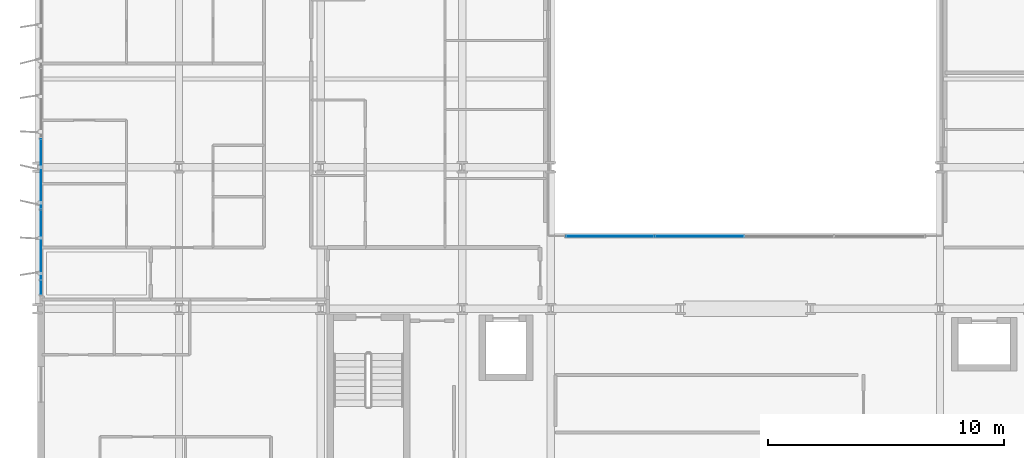
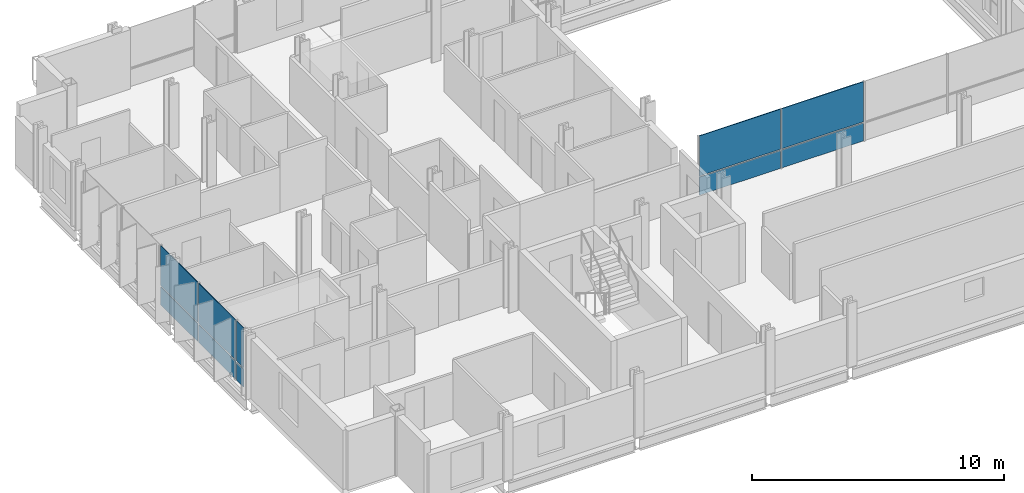
# One storey, part 22 of 38: 10 plates, 2 elements without a shape of their own.
"""IFC4 building model written with IfcOpenShell, lengths in metres."""

from ifc_helpers import new_model, si_unit, direction, frame, origin, origin_2d, place, context, subcontext, project, spatial, rectangle, extrude, material, layer, layer_set, type_object, element, aggregate, save


model = new_model("IFC4")

# Units and contexts
model_context = context("Model", 3, precision=1e-05, world=origin(), true_north=direction((0.0, 1.0)))
body_context = subcontext(model_context, "Body", "Model", "MODEL_VIEW")
ifc_project = project(units=[si_unit("LENGTHUNIT", "METRE"), si_unit("AREAUNIT", "SQUARE_METRE"), si_unit("VOLUMEUNIT", "CUBIC_METRE"), si_unit("PLANEANGLEUNIT", "RADIAN"), si_unit("MASSUNIT", "GRAM", prefix="KILO")], contexts=[model_context])

# Site, building, storey
site_placement = place(None, origin())
site = spatial("IfcSite", under=ifc_project, at=site_placement, CompositionType="ELEMENT")
building_placement = place(site_placement, origin())
building = spatial("IfcBuilding", under=site, at=building_placement, Name="Brevholm Reach", CompositionType="ELEMENT")
storey_placement = place(building_placement, frame((0.0, 0.0, 59.0)))
storey = spatial("IfcBuildingStorey", under=building, at=storey_placement, Name="L16", CompositionType="ELEMENT", Elevation=59.0)

# Curtain wall, plates
ifc_material_1 = material(Name="Dark Anodised Aluminium 6063-T6 and Solar-Control Glass", Category="aluminium")
ifc_layer_1 = layer(ifc_material_1, 0.14990234375)
ifc_layer_set_1 = layer_set([ifc_layer_1], Name="Dark Anodised Aluminium 6063-T6 and Solar-Control Glass")
curtain_wall_type_1 = type_object("IfcCurtainWallType", Name="CW-01", PredefinedType="NOTDEFINED", material=ifc_layer_set_1)
curtain_wall_1_placement = place(storey_placement, origin())
curtain_wall_1 = element("IfcCurtainWall", 1, at=curtain_wall_1_placement, inside=storey, type_object=curtain_wall_type_1, Name="L16 Curtain Wall CW-01", PredefinedType="NOTDEFINED")
ifc_material_2 = material(Name="Dark Solar-Control Double-Glazed IGU Glass", Category="glass")
ifc_layer_2 = layer(ifc_material_2, 0.028076171875)
ifc_layer_set_2 = layer_set([ifc_layer_2], Name="Dark Solar-Control Double-Glazed IGU Glass")
plate_type_1 = type_object("IfcPlateType", Name="CWP-GLZ-28", PredefinedType="CURTAIN_PANEL", material=ifc_layer_set_2)
plate_1_placement = place(storey_placement, frame((0.14990234375, 15.719970703125, 0.0), z_axis=(0.0, 0.0, 1.0), x_axis=(0.0, -1.0, 0.0)))
plate_1 = element("IfcPlate", 2, at=plate_1_placement, type_object=plate_type_1, Name="CP-01 Glazing Panel 3.1", PredefinedType="CURTAIN_PANEL", context=body_context, shape_type="SweptSolid", body=[
    extrude(rectangle(XDim=2.93505859375, YDim=0.028076171875, at=origin_2d()), origin(), (0.0, 0.0, 1.0), 0.867431640625),
])
plate_2_placement = place(storey_placement, frame((0.14990234375, 15.719970703125, 0.9326171875), z_axis=(0.0, 0.0, 1.0), x_axis=(0.0, -1.0, 0.0)))
plate_2 = element("IfcPlate", 3, at=plate_2_placement, type_object=plate_type_1, Name="CP-01 Glazing Panel 3.2", PredefinedType="CURTAIN_PANEL", context=body_context, shape_type="SweptSolid", body=[
    extrude(rectangle(XDim=2.93505859375, YDim=0.028076171875, at=origin_2d()), origin(), (0.0, 0.0, 1.0), 1.9375),
])
plate_3_placement = place(storey_placement, frame((0.14990234375, 12.719970703125, 0.0), z_axis=(0.0, 0.0, 1.0), x_axis=(0.0, -1.0, 0.0)))
plate_3 = element("IfcPlate", 4, at=plate_3_placement, type_object=plate_type_1, Name="CP-01 Glazing Panel 4.1", PredefinedType="CURTAIN_PANEL", context=body_context, shape_type="SweptSolid", body=[
    extrude(rectangle(XDim=2.93505859375, YDim=0.028076171875, at=origin_2d()), origin(), (0.0, 0.0, 1.0), 0.867431640625),
])
plate_4_placement = place(storey_placement, frame((0.14990234375, 12.719970703125, 0.9326171875), z_axis=(0.0, 0.0, 1.0), x_axis=(0.0, -1.0, 0.0)))
plate_4 = element("IfcPlate", 5, at=plate_4_placement, type_object=plate_type_1, Name="CP-01 Glazing Panel 4.2", PredefinedType="CURTAIN_PANEL", context=body_context, shape_type="SweptSolid", body=[
    extrude(rectangle(XDim=2.93505859375, YDim=0.028076171875, at=origin_2d()), origin(), (0.0, 0.0, 1.0), 1.9375),
])
plate_5_placement = place(storey_placement, frame((0.14990234375, 10.9013671875, 0.0), z_axis=(0.0, 0.0, 1.0), x_axis=(0.0, -1.0, 0.0)))
plate_5 = element("IfcPlate", 6, at=plate_5_placement, type_object=plate_type_1, Name="CP-01 Glazing Panel 5.1", PredefinedType="CURTAIN_PANEL", context=body_context, shape_type="SweptSolid", body=[
    extrude(rectangle(XDim=0.572509765625, YDim=0.028076171875, at=origin_2d()), origin(), (0.0, 0.0, 1.0), 0.867431640625),
])
plate_6_placement = place(storey_placement, frame((0.14990234375, 10.9013671875, 0.9326171875), z_axis=(0.0, 0.0, 1.0), x_axis=(0.0, -1.0, 0.0)))
plate_6 = element("IfcPlate", 7, at=plate_6_placement, type_object=plate_type_1, Name="CP-01 Glazing Panel 5.2", PredefinedType="CURTAIN_PANEL", context=body_context, shape_type="SweptSolid", body=[
    extrude(rectangle(XDim=0.572509765625, YDim=0.028076171875, at=origin_2d()), origin(), (0.0, 0.0, 1.0), 1.9375),
])
aggregate(curtain_wall_1, [plate_1, plate_2, plate_3, plate_4, plate_5, plate_6])

ifc_material_3 = material(Name="Dark Anodised Aluminium 6063-T6 and Solar-Control Glass", Category="aluminium")
ifc_layer_3 = layer(ifc_material_3, 0.139892578125)
ifc_layer_set_3 = layer_set([ifc_layer_3], Name="Dark Anodised Aluminium 6063-T6 and Solar-Control Glass")
curtain_wall_type_2 = type_object("IfcCurtainWallType", Name="CW-02", PredefinedType="NOTDEFINED", material=ifc_layer_set_3)
curtain_wall_2_placement = place(storey_placement, origin())
curtain_wall_2 = element("IfcCurtainWall", 8, at=curtain_wall_2_placement, inside=storey, type_object=curtain_wall_type_2, Name="L16 Curtain Wall CW-02", PredefinedType="NOTDEFINED")
ifc_material_4 = material(Name="Low-Iron Laminated Acoustic Glass", Category="glass")
ifc_layer_4 = layer(ifc_material_4, 0.035888671875)
ifc_layer_set_4 = layer_set([ifc_layer_4], Name="Low-Iron Laminated Acoustic Glass")
plate_type_2 = type_object("IfcPlateType", Name="CWP-GLZ-36", PredefinedType="CURTAIN_PANEL", material=ifc_layer_set_4)
plate_7_placement = place(storey_placement, frame((24.264892578125, 13.080078125, 0.0), z_axis=(0.0, 0.0, 1.0), x_axis=(1.0, 0.0, 0.0)))
plate_7 = element("IfcPlate", 9, at=plate_7_placement, type_object=plate_type_2, Name="CP-02 Glazing Panel 1.1", PredefinedType="CURTAIN_PANEL", context=body_context, shape_type="SweptSolid", body=[
    extrude(rectangle(XDim=3.7099609375, YDim=0.035888671875, at=origin_2d()), origin(), (0.0, 0.0, 1.0), 0.8701171875),
])
plate_8_placement = place(storey_placement, frame((24.264892578125, 13.080078125, 0.929931640625), z_axis=(0.0, 0.0, 1.0), x_axis=(1.0, 0.0, 0.0)))
plate_8 = element("IfcPlate", 10, at=plate_8_placement, type_object=plate_type_2, Name="CP-02 Glazing Panel 1.2", PredefinedType="CURTAIN_PANEL", context=body_context, shape_type="SweptSolid", body=[
    extrude(rectangle(XDim=3.7099609375, YDim=0.035888671875, at=origin_2d()), origin(), (0.0, 0.0, 1.0), 1.93994140625),
])
plate_9_placement = place(storey_placement, frame((28.050048828125, 13.080078125, 0.0), z_axis=(0.0, 0.0, 1.0), x_axis=(1.0, 0.0, 0.0)))
plate_9 = element("IfcPlate", 11, at=plate_9_placement, type_object=plate_type_2, Name="CP-02 Glazing Panel 2.1", PredefinedType="CURTAIN_PANEL", context=body_context, shape_type="SweptSolid", body=[
    extrude(rectangle(XDim=3.739990234375, YDim=0.035888671875, at=origin_2d()), origin(), (0.0, 0.0, 1.0), 0.8701171875),
])
plate_10_placement = place(storey_placement, frame((28.050048828125, 13.080078125, 0.929931640625), z_axis=(0.0, 0.0, 1.0), x_axis=(1.0, 0.0, 0.0)))
plate_10 = element("IfcPlate", 12, at=plate_10_placement, type_object=plate_type_2, Name="CP-02 Glazing Panel 2.2", PredefinedType="CURTAIN_PANEL", context=body_context, shape_type="SweptSolid", body=[
    extrude(rectangle(XDim=3.739990234375, YDim=0.035888671875, at=origin_2d()), origin(), (0.0, 0.0, 1.0), 1.93994140625),
])
aggregate(curtain_wall_2, [plate_7, plate_8, plate_9, plate_10])

save(model, "model.ifc")
